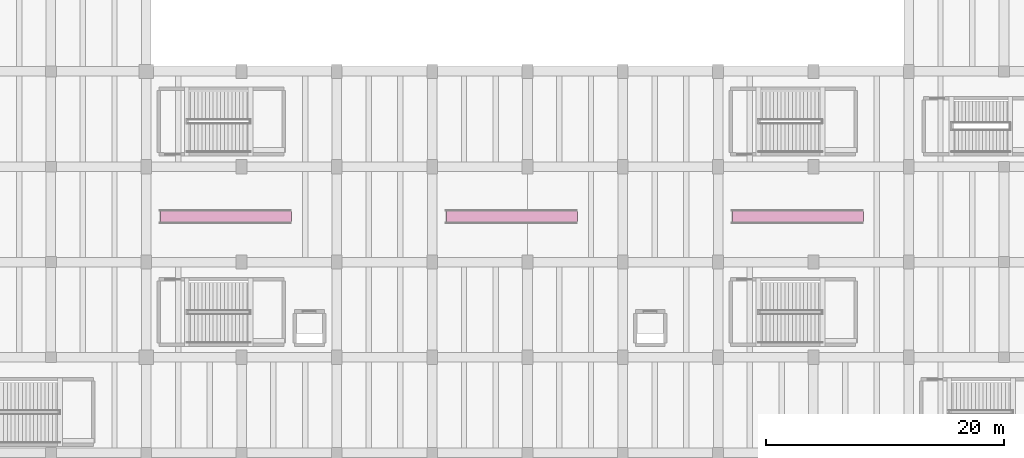
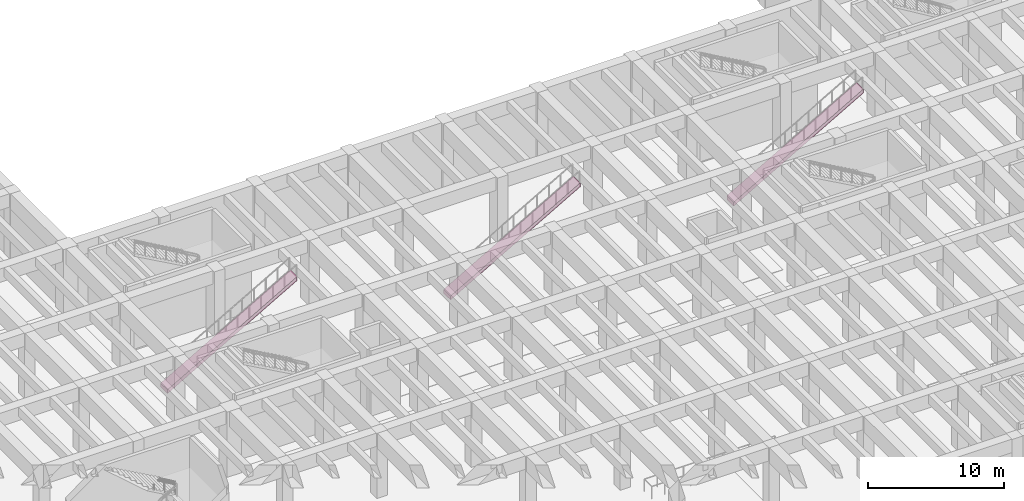
# One storey, part 24 of 24: 3 transport elements.
"""IFC4 building model written with IfcOpenShell, lengths in metres."""

from ifc_helpers import new_model, si_unit, direction, frame, origin, place, context, subcontext, project, spatial, polyline, outline, extrude, material, type_object, element, save


model = new_model("IFC4")

# Units and contexts
model_context = context("Model", 3, precision=1e-05, world=origin(), true_north=direction((0.0, 1.0)))
body_context = subcontext(model_context, "Body", "Model", "MODEL_VIEW")
ifc_project = project(units=[si_unit("LENGTHUNIT", "METRE"), si_unit("AREAUNIT", "SQUARE_METRE"), si_unit("VOLUMEUNIT", "CUBIC_METRE"), si_unit("PLANEANGLEUNIT", "RADIAN"), si_unit("MASSUNIT", "GRAM", prefix="KILO")], contexts=[model_context])

# Site, building, storey
site_placement = place(None, origin())
site = spatial("IfcSite", under=ifc_project, at=site_placement, CompositionType="ELEMENT")
building_placement = place(site_placement, origin())
building = spatial("IfcBuilding", under=site, at=building_placement, Name="Varnela Railside Interchange", CompositionType="ELEMENT")
storey_placement = place(building_placement, frame((0.0, 0.0, -6.300048828125)))
storey = spatial("IfcBuildingStorey", under=building, at=storey_placement, Name="B1", CompositionType="ELEMENT", Elevation=-6.300048828125)

# Transport elements
ifc_material = material(Name="Steel AR 350 (350 MPa)", Category="steel")
transport_element_type = type_object("IfcTransportElementType", Name="Heavy-Duty Metro Escalator ESC-1000", PredefinedType="ESCALATOR", material=ifc_material)
for number, where, z_axis, x_axis, name in (
    (1, (53.199951171875, 49.800048828125, 0.0), (0.0, 0.0, 1.0), (1.0, 0.0, 0.0), "Concourse Escalator ES4"),
    (2, (77.199951171875, 49.800048828125, 0.0), (0.0, 0.0, 1.0), (1.0, 0.0, 0.0), "Concourse Escalator ES5"),
    (3, (101.199951171875, 49.800048828125, 0.0), (0.0, 0.0, 1.0), (1.0, 0.0, 0.0), "Concourse Escalator ES6"),
):
    element("IfcTransportElement", number, at=place(storey_placement, frame(where, z_axis=z_axis, x_axis=x_axis)), inside=storey, type_object=transport_element_type, Name=name, PredefinedType="ESCALATOR", context=body_context, shape_type="SweptSolid", body=[
        extrude(outline(polyline([(0.0, -0.35009765625), (11.0, 5.949951171875), (11.0, 6.300048828125), (0.0, 0.0), (0.0, -0.35009765625)])), frame((0.0, 0.5, 0.0), z_axis=(0.0, -1.0, 0.0), x_axis=(1.0, 0.0, 0.0)), (0.0, 0.0, 1.0), 1.0),
    ])

save(model, "model.ifc")
